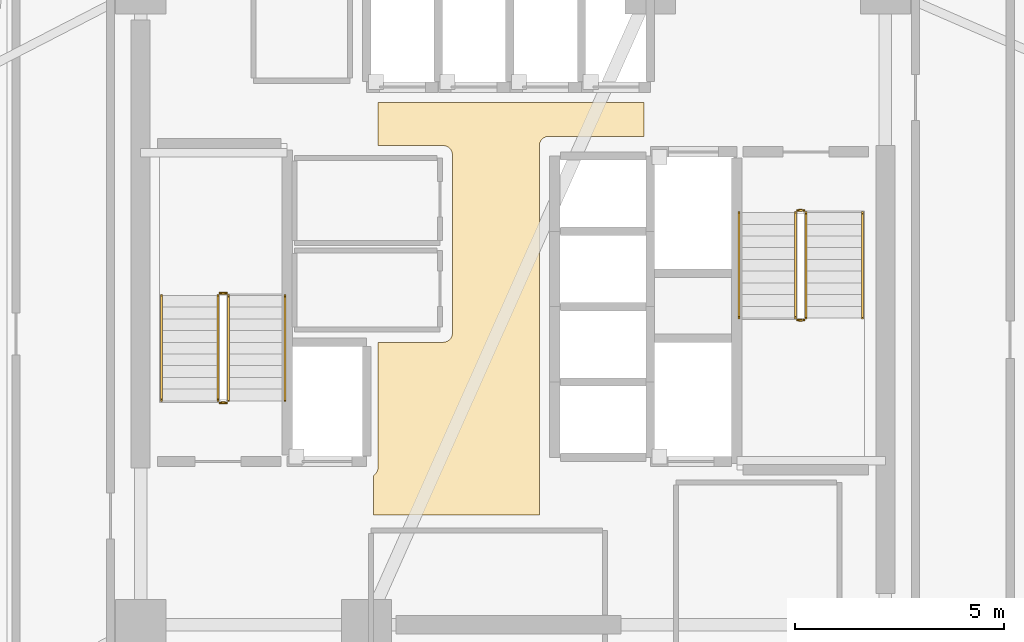
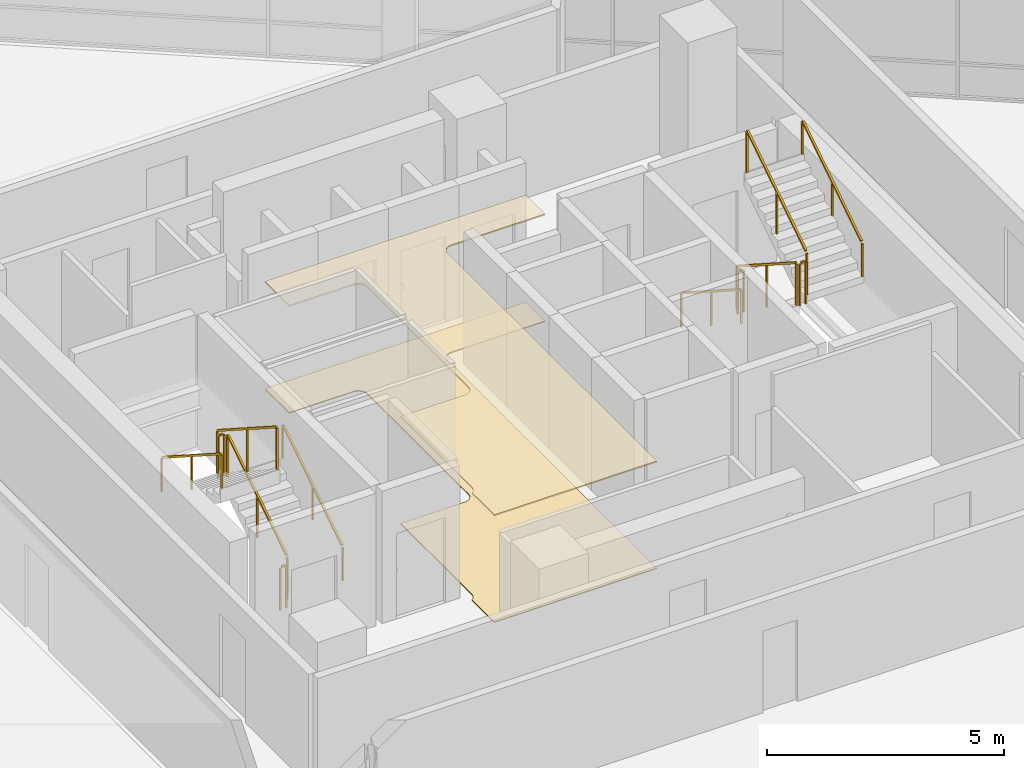
# One storey, part 15 of 16: 12 railings, 2 coverings.
"""IFC4 building model written with IfcOpenShell, lengths in metres."""

from ifc_helpers import new_model, si_unit, direction, frame, origin, origin_2d, place, context, subcontext, project, spatial, polyline, rectangle, outline, extrude, material, layer, layer_set, type_object, element, save


model = new_model("IFC4")

# Units and contexts
model_context = context("Model", 3, precision=1e-05, world=origin(), true_north=direction((0.0, 1.0)))
body_context = subcontext(model_context, "Body", "Model", "MODEL_VIEW")
ifc_project = project(units=[si_unit("LENGTHUNIT", "METRE"), si_unit("AREAUNIT", "SQUARE_METRE"), si_unit("VOLUMEUNIT", "CUBIC_METRE"), si_unit("PLANEANGLEUNIT", "RADIAN"), si_unit("MASSUNIT", "GRAM", prefix="KILO")], contexts=[model_context])

# Site, building, storey
site_placement = place(None, origin())
site = spatial("IfcSite", under=ifc_project, at=site_placement, CompositionType="ELEMENT")
building_placement = place(site_placement, origin())
building = spatial("IfcBuilding", under=site, at=building_placement, Name="Tharavind Bronze Gate", CompositionType="ELEMENT")
storey_placement = place(building_placement, frame((0.0, 0.0, 123.25)))
storey = spatial("IfcBuildingStorey", under=building, at=storey_placement, Name="L31", CompositionType="ELEMENT", Elevation=123.25)

# Coverings
ifc_material_1 = material(Name="Perforated Bronze Acoustic Panel", Category="bronze")
ifc_layer_1 = layer(ifc_material_1, 0.044921875)
ifc_layer_set_1 = layer_set([ifc_layer_1], Name="Perforated Bronze Acoustic Panel")
covering_type_1 = type_object("IfcCoveringType", Name="ACOUSTIC BRONZE BAFFLE CEILING", PredefinedType="CEILING", material=ifc_layer_set_1)
covering_1_placement = place(storey_placement, frame((0.0, 0.0, 2.75)))
element("IfcCovering", 1, at=covering_1_placement, inside=storey, type_object=covering_type_1, Name="L31-C-LL suspended ceiling", PredefinedType="CEILING", context=body_context, shape_type="SweptSolid", body=[
    extrude(outline(polyline([(-3.330078125, -4.97998046875), (0.6298828125, -4.97998046875), (0.6298828125, 3.85009765625), (0.631103515625, 3.87158203125), (0.63427734375, 3.892822265625), (0.639404296875, 3.913818359375), (0.646728515625, 3.93408203125), (0.656005859375, 3.95361328125), (0.6669921875, 3.97216796875), (0.679931640625, 3.989501953125), (0.6943359375, 4.005615234375), (0.71044921875, 4.02001953125), (0.727783203125, 4.032958984375), (0.746337890625, 4.0439453125), (0.765869140625, 4.05322265625), (0.7861328125, 4.060546875), (0.80712890625, 4.06591796875), (0.828369140625, 4.06884765625), (0.85009765625, 4.070068359375), (3.1298828125, 4.070068359375), (3.1298828125, 4.8798828125), (-3.22998046875, 4.8798828125), (-3.22998046875, 3.85009765625), (-1.669921875, 3.85009765625), (-1.6484375, 3.848876953125), (-1.627197265625, 3.845703125), (-1.606201171875, 3.840576171875), (-1.585693359375, 3.833251953125), (-1.56640625, 3.823974609375), (-1.5478515625, 3.81298828125), (-1.530517578125, 3.800048828125), (-1.514404296875, 3.78564453125), (-1.5, 3.76953125), (-1.487060546875, 3.752197265625), (-1.47607421875, 3.733642578125), (-1.466796875, 3.714111328125), (-1.45947265625, 3.69384765625), (-1.4541015625, 3.6728515625), (-1.451171875, 3.651611328125), (-1.449951171875, 3.6298828125), (-1.449951171875, 1.43994140625), (-1.450439453125, 1.429931640625), (-1.449951171875, 1.419921875), (-1.449951171875, -0.6298828125), (-1.451171875, -0.651611328125), (-1.4541015625, -0.6728515625), (-1.45947265625, -0.69384765625), (-1.466796875, -0.714111328125), (-1.47607421875, -0.733642578125), (-1.487060546875, -0.752197265625), (-1.5, -0.76953125), (-1.514404296875, -0.78564453125), (-1.530517578125, -0.800048828125), (-1.5478515625, -0.81298828125), (-1.56640625, -0.823974609375), (-1.585693359375, -0.833251953125), (-1.606201171875, -0.840576171875), (-1.627197265625, -0.845703125), (-1.6484375, -0.848876953125), (-1.669921875, -0.85009765625), (-3.22998046875, -0.85009765625), (-3.22998046875, -3.85009765625), (-3.231201171875, -3.87158203125), (-3.234130859375, -3.892822265625), (-3.239501953125, -3.913818359375), (-3.24658203125, -3.93408203125), (-3.256103515625, -3.95361328125), (-3.26708984375, -3.97216796875), (-3.27978515625, -3.989501953125), (-3.29443359375, -4.005615234375), (-3.310302734375, -4.02001953125), (-3.327880859375, -4.032958984375), (-3.330078125, -4.0341796875), (-3.330078125, -4.97998046875)])), origin(), (0.0, 0.0, 1.0), 0.034912109375),
])
ifc_material_2 = material(Name="Honed Travertine Limestone", Category="masonry")
ifc_layer_2 = layer(ifc_material_2, 0.030029296875)
ifc_layer_set_2 = layer_set([ifc_layer_2], Name="Honed Travertine Limestone")
covering_type_2 = type_object("IfcCoveringType", Name="HONED LIMESTONE FLOORING", PredefinedType="FLOORING", material=ifc_layer_set_2)
covering_2_placement = place(storey_placement, origin())
element("IfcCovering", 2, at=covering_2_placement, inside=storey, type_object=covering_type_2, Name="L31-C-LL floor finish", PredefinedType="FLOORING", context=body_context, shape_type="SweptSolid", body=[
    extrude(outline(polyline([(-3.330078125, -4.97998046875), (0.6298828125, -4.97998046875), (0.6298828125, 3.85009765625), (0.631103515625, 3.87158203125), (0.63427734375, 3.892822265625), (0.639404296875, 3.913818359375), (0.646728515625, 3.93408203125), (0.656005859375, 3.95361328125), (0.6669921875, 3.97216796875), (0.679931640625, 3.989501953125), (0.6943359375, 4.005615234375), (0.71044921875, 4.02001953125), (0.727783203125, 4.032958984375), (0.746337890625, 4.0439453125), (0.765869140625, 4.05322265625), (0.7861328125, 4.060546875), (0.80712890625, 4.06591796875), (0.828369140625, 4.06884765625), (0.85009765625, 4.070068359375), (3.1298828125, 4.070068359375), (3.1298828125, 4.8798828125), (-3.22998046875, 4.8798828125), (-3.22998046875, 3.85009765625), (-1.669921875, 3.85009765625), (-1.6484375, 3.848876953125), (-1.627197265625, 3.845703125), (-1.606201171875, 3.840576171875), (-1.585693359375, 3.833251953125), (-1.56640625, 3.823974609375), (-1.5478515625, 3.81298828125), (-1.530517578125, 3.800048828125), (-1.514404296875, 3.78564453125), (-1.5, 3.76953125), (-1.487060546875, 3.752197265625), (-1.47607421875, 3.733642578125), (-1.466796875, 3.714111328125), (-1.45947265625, 3.69384765625), (-1.4541015625, 3.6728515625), (-1.451171875, 3.651611328125), (-1.449951171875, 3.6298828125), (-1.449951171875, 1.43994140625), (-1.450439453125, 1.429931640625), (-1.449951171875, 1.419921875), (-1.449951171875, -0.6298828125), (-1.451171875, -0.651611328125), (-1.4541015625, -0.6728515625), (-1.45947265625, -0.69384765625), (-1.466796875, -0.714111328125), (-1.47607421875, -0.733642578125), (-1.487060546875, -0.752197265625), (-1.5, -0.76953125), (-1.514404296875, -0.78564453125), (-1.530517578125, -0.800048828125), (-1.5478515625, -0.81298828125), (-1.56640625, -0.823974609375), (-1.585693359375, -0.833251953125), (-1.606201171875, -0.840576171875), (-1.627197265625, -0.845703125), (-1.6484375, -0.848876953125), (-1.669921875, -0.85009765625), (-3.22998046875, -0.85009765625), (-3.22998046875, -3.85009765625), (-3.231201171875, -3.87158203125), (-3.234130859375, -3.892822265625), (-3.239501953125, -3.913818359375), (-3.24658203125, -3.93408203125), (-3.256103515625, -3.95361328125), (-3.26708984375, -3.97216796875), (-3.27978515625, -3.989501953125), (-3.29443359375, -4.005615234375), (-3.310302734375, -4.02001953125), (-3.327880859375, -4.032958984375), (-3.330078125, -4.0341796875), (-3.330078125, -4.97998046875)])), origin(), (0.0, 0.0, 1.0), 0.02490234375),
])

# Railings
ifc_material_3 = material(Name="Brushed Bronze Alloy", Category="metal")
railing_type_1 = type_object("IfcRailingType", Name="STAIR BRONZE HANDRAIL 900", PredefinedType="HANDRAIL", material=ifc_material_3)
railing_1_placement = place(storey_placement, frame((-5.449951171875, -2.25, 0.179931640625)))
element("IfcRailing", 3, at=railing_1_placement, inside=storey, type_object=railing_type_1, Name="L31 ST1 stair handrail 1", PredefinedType="HANDRAIL", context=body_context, shape_type="SweptSolid", body=[
    extrude(rectangle(XDim=0.048095703125, YDim=0.048095703125, at=origin_2d()), frame((0.0, 0.02685546875, 0.89306640625), z_axis=(0.0, 0.841162588446, 0.540782303519), x_axis=(-1.0, 0.0, 0.0)), (0.0, 0.0, 1.0), 2.931884765625),
    extrude(rectangle(XDim=0.0400390625, YDim=0.0400390625, at=origin_2d()), origin(), (0.0, 0.0, 1.0), 0.847900390625),
    extrude(rectangle(XDim=0.0400390625, YDim=0.0400390625, at=origin_2d()), frame((0.0, 1.260009765625, 0.81005859375)), (0.0, 0.0, 1.0), 0.847900390625),
    extrude(rectangle(XDim=0.0400390625, YDim=0.0400390625, at=origin_2d()), frame((0.0, 2.52001953125, 1.6201171875)), (0.0, 0.0, 1.0), 0.847900390625),
])
for number, where, name in (
    (4, (-8.39990234375, 0.27001953125, 1.97998046875), "L31 ST1 stair handrail 2"),
    (5, (5.39990234375, 2.25, 0.179931640625), "L31 ST2 stair handrail 1"),
):
    element("IfcRailing", number, at=place(storey_placement, frame(where)), inside=storey, type_object=railing_type_1, Name=name, PredefinedType="HANDRAIL", context=body_context, shape_type="SweptSolid", body=[
        extrude(rectangle(XDim=0.048095703125, YDim=0.048095703125, at=origin_2d()), frame((0.0, -0.02685546875, 0.89306640625), z_axis=(0.0, -0.841162588446, 0.540782303519), x_axis=(1.0, 0.0, 0.0)), (0.0, 0.0, 1.0), 2.931884765625),
        extrude(rectangle(XDim=0.0400390625, YDim=0.0400390625, at=origin_2d()), origin(), (0.0, 0.0, 1.0), 0.847900390625),
        extrude(rectangle(XDim=0.0400390625, YDim=0.0400390625, at=origin_2d()), frame((0.0, -1.260009765625, 0.81005859375)), (0.0, 0.0, 1.0), 0.847900390625),
        extrude(rectangle(XDim=0.0400390625, YDim=0.0400390625, at=origin_2d()), frame((0.0, -2.52001953125, 1.6201171875)), (0.0, 0.0, 1.0), 0.847900390625),
    ])
railing_2_placement = place(storey_placement, frame((8.35009765625, -0.27001953125, 1.97998046875)))
element("IfcRailing", 6, at=railing_2_placement, inside=storey, type_object=railing_type_1, Name="L31 ST2 stair handrail 2", PredefinedType="HANDRAIL", context=body_context, shape_type="SweptSolid", body=[
    extrude(rectangle(XDim=0.048095703125, YDim=0.048095703125, at=origin_2d()), frame((0.0, 0.02685546875, 0.89306640625), z_axis=(0.0, 0.841162588446, 0.540782303519), x_axis=(-1.0, 0.0, 0.0)), (0.0, 0.0, 1.0), 2.931884765625),
    extrude(rectangle(XDim=0.0400390625, YDim=0.0400390625, at=origin_2d()), origin(), (0.0, 0.0, 1.0), 0.847900390625),
    extrude(rectangle(XDim=0.0400390625, YDim=0.0400390625, at=origin_2d()), frame((0.0, 1.260009765625, 0.81005859375)), (0.0, 0.0, 1.0), 0.847900390625),
    extrude(rectangle(XDim=0.0400390625, YDim=0.0400390625, at=origin_2d()), frame((0.0, 2.52001953125, 1.6201171875)), (0.0, 0.0, 1.0), 0.847900390625),
])
railing_type_2 = type_object("IfcRailingType", Name="STAIR WELL GUARD RAILING 1120", PredefinedType="GUARDRAIL", material=ifc_material_3)
railing_3_placement = place(storey_placement, frame((-6.800048828125, -2.25, 0.179931640625)))
element("IfcRailing", 7, at=railing_3_placement, inside=storey, type_object=railing_type_2, Name="L31 ST1 stair guard 1", PredefinedType="GUARDRAIL", context=body_context, shape_type="SweptSolid", body=[
    extrude(rectangle(XDim=0.048095703125, YDim=0.048095703125, at=origin_2d()), frame((0.0, 0.02685546875, 1.11328125), z_axis=(0.0, 0.841162588446, 0.540782303519), x_axis=(-1.0, 0.0, 0.0)), (0.0, 0.0, 1.0), 2.931884765625),
    extrude(rectangle(XDim=0.0400390625, YDim=0.0400390625, at=origin_2d()), origin(), (0.0, 0.0, 1.0), 1.068115234375),
    extrude(rectangle(XDim=0.0400390625, YDim=0.0400390625, at=origin_2d()), frame((0.0, 1.260009765625, 0.81005859375)), (0.0, 0.0, 1.0), 1.068115234375),
    extrude(rectangle(XDim=0.0400390625, YDim=0.0400390625, at=origin_2d()), frame((0.0, 2.52001953125, 1.6201171875)), (0.0, 0.0, 1.0), 1.068115234375),
])
railing_4_placement = place(storey_placement, frame((-6.85009765625, 0.320068359375, 1.800048828125)))
element("IfcRailing", 8, at=railing_4_placement, inside=storey, type_object=railing_type_2, Name="L31 ST1 stair guard 2", PredefinedType="GUARDRAIL", context=body_context, shape_type="SweptSolid", body=[
    extrude(rectangle(XDim=0.048095703125, YDim=0.048095703125, at=origin_2d()), frame((-0.031982421875, 0.0, 1.09619140625), z_axis=(-1.0, 0.0, 0.0), x_axis=(0.0, -1.0, 0.0)), (0.0, 0.0, 1.0), 0.0859375),
    extrude(rectangle(XDim=0.0400390625, YDim=0.0400390625, at=origin_2d()), origin(), (0.0, 0.0, 1.0), 1.068115234375),
    extrude(rectangle(XDim=0.0400390625, YDim=0.0400390625, at=origin_2d()), frame((-0.14990234375, 0.0, 0.0)), (0.0, 0.0, 1.0), 1.068115234375),
])
railing_5_placement = place(storey_placement, frame((-7.050048828125, 0.27001953125, 1.97998046875)))
element("IfcRailing", 9, at=railing_5_placement, inside=storey, type_object=railing_type_2, Name="L31 ST1 stair guard 3", PredefinedType="GUARDRAIL", context=body_context, shape_type="SweptSolid", body=[
    extrude(rectangle(XDim=0.048095703125, YDim=0.048095703125, at=origin_2d()), frame((0.0, -0.02685546875, 1.11328125), z_axis=(0.0, -0.841162588446, 0.540782303519), x_axis=(1.0, 0.0, 0.0)), (0.0, 0.0, 1.0), 2.931884765625),
    extrude(rectangle(XDim=0.0400390625, YDim=0.0400390625, at=origin_2d()), origin(), (0.0, 0.0, 1.0), 1.068115234375),
    extrude(rectangle(XDim=0.0400390625, YDim=0.0400390625, at=origin_2d()), frame((0.0, -1.260009765625, 0.81005859375)), (0.0, 0.0, 1.0), 1.068115234375),
    extrude(rectangle(XDim=0.0400390625, YDim=0.0400390625, at=origin_2d()), frame((0.0, -2.52001953125, 1.6201171875)), (0.0, 0.0, 1.0), 1.068115234375),
])
railing_6_placement = place(storey_placement, frame((-6.85009765625, -2.300048828125, 0.0)))
element("IfcRailing", 10, at=railing_6_placement, inside=storey, type_object=railing_type_2, Name="L31 ST1 stair guard 4", PredefinedType="GUARDRAIL", context=body_context, shape_type="SweptSolid", body=[
    extrude(rectangle(XDim=0.048095703125, YDim=0.048095703125, at=origin_2d()), frame((-0.031982421875, 0.0, 1.09619140625), z_axis=(-1.0, 0.0, 0.0), x_axis=(0.0, -1.0, 0.0)), (0.0, 0.0, 1.0), 0.0859375),
    extrude(rectangle(XDim=0.0400390625, YDim=0.0400390625, at=origin_2d()), origin(), (0.0, 0.0, 1.0), 1.068115234375),
    extrude(rectangle(XDim=0.0400390625, YDim=0.0400390625, at=origin_2d()), frame((-0.14990234375, 0.0, 0.0)), (0.0, 0.0, 1.0), 1.068115234375),
])
railing_7_placement = place(storey_placement, frame((6.75, 2.25, 0.179931640625)))
element("IfcRailing", 11, at=railing_7_placement, inside=storey, type_object=railing_type_2, Name="L31 ST2 stair guard 1", PredefinedType="GUARDRAIL", context=body_context, shape_type="SweptSolid", body=[
    extrude(rectangle(XDim=0.048095703125, YDim=0.048095703125, at=origin_2d()), frame((0.0, -0.02685546875, 1.11328125), z_axis=(0.0, -0.841162588446, 0.540782303519), x_axis=(1.0, 0.0, 0.0)), (0.0, 0.0, 1.0), 2.931884765625),
    extrude(rectangle(XDim=0.0400390625, YDim=0.0400390625, at=origin_2d()), origin(), (0.0, 0.0, 1.0), 1.068115234375),
    extrude(rectangle(XDim=0.0400390625, YDim=0.0400390625, at=origin_2d()), frame((0.0, -1.260009765625, 0.81005859375)), (0.0, 0.0, 1.0), 1.068115234375),
    extrude(rectangle(XDim=0.0400390625, YDim=0.0400390625, at=origin_2d()), frame((0.0, -2.52001953125, 1.6201171875)), (0.0, 0.0, 1.0), 1.068115234375),
])
railing_8_placement = place(storey_placement, frame((6.800048828125, -0.320068359375, 1.800048828125)))
element("IfcRailing", 12, at=railing_8_placement, inside=storey, type_object=railing_type_2, Name="L31 ST2 stair guard 2", PredefinedType="GUARDRAIL", context=body_context, shape_type="SweptSolid", body=[
    extrude(rectangle(XDim=0.048095703125, YDim=0.048095703125, at=origin_2d()), frame((0.031982421875, 0.0, 1.09619140625), z_axis=(1.0, 0.0, 0.0), x_axis=(0.0, 1.0, 0.0)), (0.0, 0.0, 1.0), 0.0859375),
    extrude(rectangle(XDim=0.0400390625, YDim=0.0400390625, at=origin_2d()), origin(), (0.0, 0.0, 1.0), 1.068115234375),
    extrude(rectangle(XDim=0.0400390625, YDim=0.0400390625, at=origin_2d()), frame((0.14990234375, 0.0, 0.0)), (0.0, 0.0, 1.0), 1.068115234375),
])
railing_9_placement = place(storey_placement, frame((7.0, -0.27001953125, 1.97998046875)))
element("IfcRailing", 13, at=railing_9_placement, inside=storey, type_object=railing_type_2, Name="L31 ST2 stair guard 3", PredefinedType="GUARDRAIL", context=body_context, shape_type="SweptSolid", body=[
    extrude(rectangle(XDim=0.048095703125, YDim=0.048095703125, at=origin_2d()), frame((0.0, 0.02685546875, 1.11328125), z_axis=(0.0, 0.841162588446, 0.540782303519), x_axis=(-1.0, 0.0, 0.0)), (0.0, 0.0, 1.0), 2.931884765625),
    extrude(rectangle(XDim=0.0400390625, YDim=0.0400390625, at=origin_2d()), origin(), (0.0, 0.0, 1.0), 1.068115234375),
    extrude(rectangle(XDim=0.0400390625, YDim=0.0400390625, at=origin_2d()), frame((0.0, 1.260009765625, 0.81005859375)), (0.0, 0.0, 1.0), 1.068115234375),
    extrude(rectangle(XDim=0.0400390625, YDim=0.0400390625, at=origin_2d()), frame((0.0, 2.52001953125, 1.6201171875)), (0.0, 0.0, 1.0), 1.068115234375),
])
railing_10_placement = place(storey_placement, frame((6.800048828125, 2.300048828125, 0.0)))
element("IfcRailing", 14, at=railing_10_placement, inside=storey, type_object=railing_type_2, Name="L31 ST2 stair guard 4", PredefinedType="GUARDRAIL", context=body_context, shape_type="SweptSolid", body=[
    extrude(rectangle(XDim=0.048095703125, YDim=0.048095703125, at=origin_2d()), frame((0.031982421875, 0.0, 1.09619140625), z_axis=(1.0, 0.0, 0.0), x_axis=(0.0, 1.0, 0.0)), (0.0, 0.0, 1.0), 0.0859375),
    extrude(rectangle(XDim=0.0400390625, YDim=0.0400390625, at=origin_2d()), origin(), (0.0, 0.0, 1.0), 1.068115234375),
    extrude(rectangle(XDim=0.0400390625, YDim=0.0400390625, at=origin_2d()), frame((0.14990234375, 0.0, 0.0)), (0.0, 0.0, 1.0), 1.068115234375),
])

save(model, "model.ifc")
